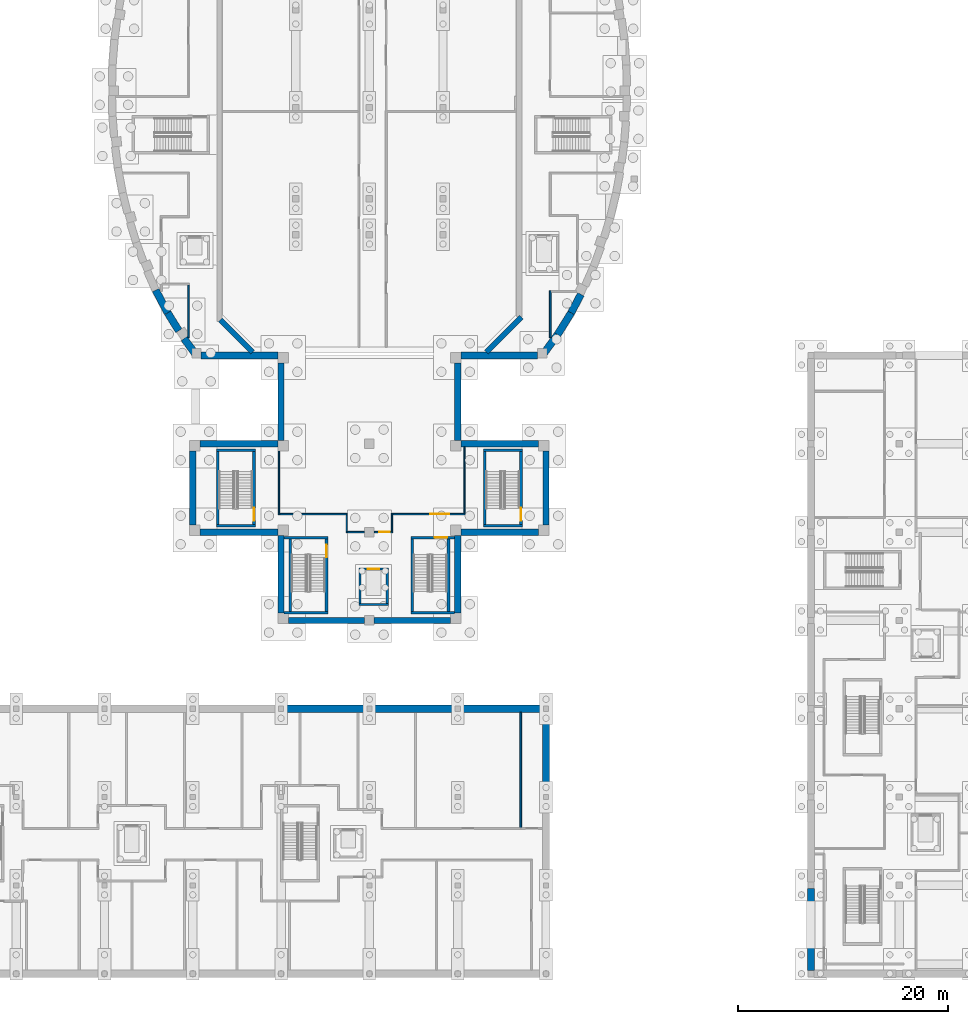
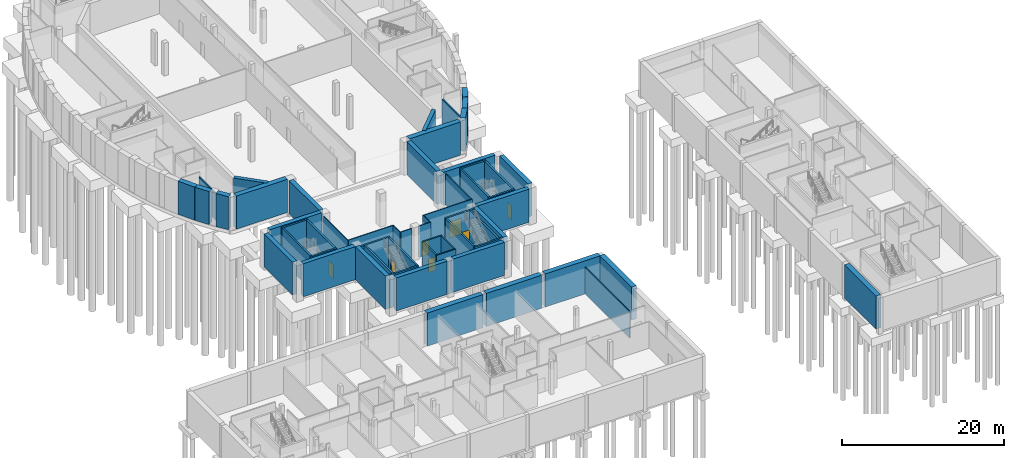
# One storey, part 11 of 33: 58 walls, 7 doors, 7 openings.
"""IFC4 building model written with IfcOpenShell, lengths in metres."""

from ifc_helpers import new_model, si_unit, direction, frame, frame_2d, origin, place, context, subcontext, project, spatial, rectangle, extrude, material, layer, layer_set, type_object, element, fill, save


model = new_model("IFC4")

# Units and contexts
model_context = context("Model", 3, precision=1e-05, world=origin(), true_north=direction((0.0, 1.0)))
body_context = subcontext(model_context, "Body", "Model", "MODEL_VIEW")
ifc_project = project(units=[si_unit("LENGTHUNIT", "METRE"), si_unit("AREAUNIT", "SQUARE_METRE"), si_unit("VOLUMEUNIT", "CUBIC_METRE"), si_unit("PLANEANGLEUNIT", "RADIAN"), si_unit("MASSUNIT", "GRAM", prefix="KILO")], contexts=[model_context])

# Site, building, storey
site_placement = place(None, origin())
site = spatial("IfcSite", under=ifc_project, at=site_placement, CompositionType="ELEMENT")
building_placement = place(site_placement, origin())
building = spatial("IfcBuilding", under=site, at=building_placement, Name="Larchfold Concert Hall", CompositionType="ELEMENT")
storey_placement = place(building_placement, frame((0.0, 0.0, -5.0)))
storey = spatial("IfcBuildingStorey", under=building, at=storey_placement, Name="B1", CompositionType="ELEMENT", Elevation=-5.0)

# Walls
ifc_material_1 = material(Name="Plasterboard partition on steel studs", Category="steel")
ifc_layer_1 = layer(ifc_material_1, 0.125)
ifc_layer_set_1 = layer_set([ifc_layer_1], Name="Plasterboard partition on steel studs")
wall_type_1 = type_object("IfcWallType", Name="Corridor partition 125 EI 60", PredefinedType="PARTITIONING", material=ifc_layer_set_1)
wall_1_placement = place(storey_placement, frame((34.000244140625, 50.280029296875, 0.0), z_axis=(0.0, 0.0, 1.0), x_axis=(0.000283389325, -0.999999959845, 0.0)))
element("IfcWall", 1, at=wall_1_placement, inside=storey, type_object=wall_type_1, Name="Partition IW0038", PredefinedType="PARTITIONING", context=body_context, shape_type="SweptSolid", body=[
    extrude(rectangle(XDim=6.030517578125, YDim=0.125, at=frame_2d((3.01513671875, 0.0))), origin(), (0.0, 0.0, 1.0), 4.719970703125),
])
wall_2_placement = place(storey_placement, frame((34.064453125, 44.31201171875, 0.0), z_axis=(0.0, 0.0, 1.0), x_axis=(1.0, 0.0, 0.0)))
element("IfcWall", 2, at=wall_2_placement, inside=storey, type_object=wall_type_1, Name="Partition IW0039", PredefinedType="PARTITIONING", context=body_context, shape_type="SweptSolid", body=[
    extrude(rectangle(XDim=6.450927734375, YDim=0.125, at=frame_2d((3.2255859375, 0.0))), origin(), (0.0, 0.0, 1.0), 4.719970703125),
])
wall_3_placement = place(storey_placement, frame((40.452880859375, 44.24951171875, 0.0), z_axis=(0.0, 0.0, 1.0), x_axis=(-0.002281796684, -0.999997396699, 0.0)))
element("IfcWall", 3, at=wall_3_placement, inside=storey, type_object=wall_type_1, Name="Partition IW0040", PredefinedType="PARTITIONING", context=body_context, shape_type="SweptSolid", body=[
    extrude(rectangle(XDim=1.7119140625, YDim=0.125, at=frame_2d((0.85595703125, 0.0))), origin(), (0.0, 0.0, 1.0), 4.719970703125),
])
wall_4_placement = place(storey_placement, frame((40.511474609375, 42.60009765625, 0.0), z_axis=(0.0, 0.0, 1.0), x_axis=(0.999999988625, 0.000150829561, 0.0)))
element("IfcWall", 4, at=wall_4_placement, inside=storey, type_object=wall_type_1, Name="Partition IW0041", PredefinedType="PARTITIONING", context=body_context, shape_type="SweptSolid", body=[
    extrude(rectangle(XDim=1.61865234375, YDim=0.125, at=frame_2d((0.809326171875, 0.0))), origin(), (0.0, 0.0, 1.0), 4.719970703125),
])

# Wall, opening, door
wall_5_placement = place(storey_placement, frame((43.070068359375, 42.6005859375, 0.0), z_axis=(0.0, 0.0, 1.0), x_axis=(0.99999996078, 0.000280072808, 0.0)))
wall_5 = element("IfcWall", 5, at=wall_5_placement, inside=storey, type_object=wall_type_1, Name="Partition IW0042", PredefinedType="PARTITIONING", context=body_context, shape_type="SweptSolid", body=[
    extrude(rectangle(XDim=1.743408203125, YDim=0.125, at=frame_2d((0.87158203125, 0.0))), origin(), (0.0, 0.0, 1.0), 4.719970703125),
])
opening_1_placement = place(wall_5_placement, frame((0.454345703125, 0.0, 0.0)))
opening_1 = element("IfcOpeningElement", 6, at=opening_1_placement, cuts=wall_5, Name="Opening D-B1-116", PredefinedType="OPENING", context=body_context, shape_type="SweptSolid", body=[
    extrude(rectangle(XDim=1.0, YDim=2.10009765625, at=frame_2d((0.5, 1.050048828125))), frame((0.0, 0.072509765625, 0.0), z_axis=(0.0, -1.0, 0.0), x_axis=(1.0, 0.0, 0.0)), (0.0, 0.0, 1.0), 0.14501953125),
])
ifc_material_2 = material(Name="Timber door leaf", Category="wood")
door_type_1 = type_object("IfcDoorType", Name="Stage and workshop door pair 1000 x 2100 FD30S", OperationType="SINGLE_SWING_LEFT", PredefinedType="DOOR", material=ifc_material_2)
door_1_placement = place(opening_1_placement, origin())
door_1 = element("IfcDoor", 7, at=door_1_placement, inside=storey, type_object=door_type_1, Name="Door D-B1-116", OperationType="SINGLE_SWING_RIGHT", OverallHeight=2.10009765625, OverallWidth=1.0, PredefinedType="DOOR", context=body_context, shape_type="SweptSolid", body=[
    extrude(rectangle(XDim=1.0, YDim=2.10009765625, at=frame_2d((0.5, 1.050048828125))), frame((0.0, 0.02490234375, 0.0), z_axis=(0.0, -1.0, 0.0), x_axis=(1.0, 0.0, 0.0)), (0.0, 0.0, 1.0), 0.050048828125),
])
fill(opening_1, door_1)

# Wall
wall_6_placement = place(storey_placement, frame((44.7509765625, 42.66357421875, 0.0), z_axis=(0.0, 0.0, 1.0), x_axis=(-0.001855019639, 0.99999827945, 0.0)))
element("IfcWall", 8, at=wall_6_placement, inside=storey, type_object=wall_type_1, Name="Partition IW0043", PredefinedType="PARTITIONING", context=body_context, shape_type="SweptSolid", body=[
    extrude(rectangle(XDim=1.7109375, YDim=0.125, at=frame_2d((0.85546875, 0.0))), origin(), (0.0, 0.0, 1.0), 4.719970703125),
])

# Wall, opening, door
wall_7_placement = place(storey_placement, frame((44.810546875, 44.31201171875, 0.0), z_axis=(0.0, 0.0, 1.0), x_axis=(1.0, 0.0, 0.0)))
wall_7 = element("IfcWall", 9, at=wall_7_placement, inside=storey, type_object=wall_type_1, Name="Partition IW0044", PredefinedType="PARTITIONING", context=body_context, shape_type="SweptSolid", body=[
    extrude(rectangle(XDim=6.90283203125, YDim=0.125, at=frame_2d((3.451416015625, 0.0))), origin(), (0.0, 0.0, 1.0), 4.719970703125),
])
opening_2_placement = place(wall_7_placement, frame((3.585693359375, 0.0, 0.0)))
opening_2 = element("IfcOpeningElement", 10, at=opening_2_placement, cuts=wall_7, Name="Opening D-B1-117", PredefinedType="OPENING", context=body_context, shape_type="SweptSolid", body=[
    extrude(rectangle(XDim=1.800048828125, YDim=2.39990234375, at=frame_2d((0.89990234375, 1.199951171875))), frame((0.0, 0.072509765625, 0.0), z_axis=(0.0, -1.0, 0.0), x_axis=(1.0, 0.0, 0.0)), (0.0, 0.0, 1.0), 0.14501953125),
])
ifc_material_3 = material(Name="Timber door leaf", Category="wood")
door_type_2 = type_object("IfcDoorType", Name="Stage and workshop door pair 1800 x 2400 FD30S", OperationType="SINGLE_SWING_LEFT", PredefinedType="DOOR", material=ifc_material_3)
door_2_placement = place(opening_2_placement, origin())
door_2 = element("IfcDoor", 11, at=door_2_placement, inside=storey, type_object=door_type_2, Name="Door D-B1-117", OperationType="DOUBLE_DOOR_SINGLE_SWING", OverallHeight=2.39990234375, OverallWidth=1.800048828125, PredefinedType="DOOR", context=body_context, shape_type="SweptSolid", body=[
    extrude(rectangle(XDim=1.800048828125, YDim=2.39990234375, at=frame_2d((0.89990234375, 1.199951171875))), frame((0.0, 0.02490234375, 0.0), z_axis=(0.0, -1.0, 0.0), x_axis=(1.0, 0.0, 0.0)), (0.0, 0.0, 1.0), 0.050048828125),
])
fill(opening_2, door_2)

# Walls
wall_8_placement = place(storey_placement, frame((51.65087890625, 44.37451171875, 0.0), z_axis=(0.0, 0.0, 1.0), x_axis=(0.0, 1.0, 0.0)))
element("IfcWall", 12, at=wall_8_placement, inside=storey, type_object=wall_type_1, Name="Partition IW0045", PredefinedType="PARTITIONING", context=body_context, shape_type="SweptSolid", body=[
    extrude(rectangle(XDim=6.325439453125, YDim=0.125, at=frame_2d((3.16259765625, 0.0))), origin(), (0.0, 0.0, 1.0), 4.719970703125),
])
ifc_material_4 = material(Name="Plasterboard partition on steel studs", Category="steel")
ifc_layer_2 = layer(ifc_material_4, 0.14990234375)
ifc_layer_set_2 = layer_set([ifc_layer_2], Name="Plasterboard partition on steel studs")
wall_type_2 = type_object("IfcWallType", Name="Shaft and plant partition 150 EI 120", PredefinedType="PARTITIONING", material=ifc_layer_set_2)
wall_9_placement = place(storey_placement, frame((25.39990234375, 66.125, 0.0), z_axis=(0.0, 0.0, 1.0), x_axis=(0.0, -1.0, 0.0)))
element("IfcWall", 13, at=wall_9_placement, inside=storey, type_object=wall_type_2, Name="Partition IW0012", PredefinedType="PARTITIONING", context=body_context, shape_type="SweptSolid", body=[
    extrude(rectangle(XDim=5.014892578125, YDim=0.14990234375, at=frame_2d((2.50732421875, 0.0))), origin(), (0.0, 0.0, 1.0), 4.099853515625),
])
wall_10_placement = place(storey_placement, frame((59.800048828125, 61.110107421875, 0.0), z_axis=(0.0, 0.0, 1.0), x_axis=(0.0, 1.0, 0.0)))
element("IfcWall", 14, at=wall_10_placement, inside=storey, type_object=wall_type_2, Name="Partition IW0015", PredefinedType="PARTITIONING", context=body_context, shape_type="SweptSolid", body=[
    extrude(rectangle(XDim=4.46484375, YDim=0.14990234375, at=frame_2d((2.232421875, 0.0))), origin(), (0.0, 0.0, 1.0), 4.099853515625),
])
wall_11_placement = place(storey_placement, frame((57.0, 25.449951171875, 0.0), z_axis=(0.0, 0.0, 1.0), x_axis=(0.0, -1.0, 0.0)))
element("IfcWall", 15, at=wall_11_placement, inside=storey, type_object=wall_type_2, Name="Partition IW0145", PredefinedType="PARTITIONING", context=body_context, shape_type="SweptSolid", body=[
    extrude(rectangle(XDim=10.974853515625, YDim=0.14990234375, at=frame_2d((5.4873046875, 0.0))), origin(), (0.0, 0.0, 1.0), 4.0400390625),
])
ifc_material_5 = material(Name="Concrete C40/50", Category="concrete")
ifc_layer_3 = layer(ifc_material_5, 0.199951171875)
ifc_layer_set_3 = layer_set([ifc_layer_3], Name="Concrete C40/50")
wall_type_3 = type_object("IfcWallType", Name="Wall RC 200 lift shaft", PredefinedType="SOLIDWALL", material=ifc_layer_set_3)
wall_12_placement = place(storey_placement, frame((41.60009765625, 35.7001953125, -1.39990234375), z_axis=(0.0, 0.0, 1.0), x_axis=(1.0, 0.0, 0.0)))
element("IfcWall", 16, at=wall_12_placement, inside=storey, type_object=wall_type_3, Name="Wall W0180", PredefinedType="SOLIDWALL", context=body_context, shape_type="SweptSolid", body=[
    extrude(rectangle(XDim=2.7998046875, YDim=0.199951171875, at=frame_2d((1.39990234375, 0.0))), origin(), (0.0, 0.0, 1.0), 6.39990234375),
])

# Wall, opening, door
wall_13_placement = place(storey_placement, frame((41.60009765625, 39.099853515625, -1.39990234375), z_axis=(0.0, 0.0, 1.0), x_axis=(1.0, 0.0, 0.0)))
wall_13 = element("IfcWall", 17, at=wall_13_placement, inside=storey, type_object=wall_type_3, Name="Wall W0181", PredefinedType="SOLIDWALL", context=body_context, shape_type="SweptSolid", body=[
    extrude(rectangle(XDim=2.7998046875, YDim=0.199951171875, at=frame_2d((1.39990234375, 0.0))), origin(), (0.0, 0.0, 1.0), 6.39990234375),
])
opening_3_placement = place(wall_13_placement, frame((0.849853515625, 0.0, 1.39990234375)))
opening_3 = element("IfcOpeningElement", 18, at=opening_3_placement, cuts=wall_13, Name="Opening LD-LF05", PredefinedType="OPENING", context=body_context, shape_type="SweptSolid", body=[
    extrude(rectangle(XDim=1.10009765625, YDim=2.10009765625, at=frame_2d((0.550048828125, 1.050048828125))), frame((0.0, 0.10986328125, 0.0), z_axis=(0.0, -1.0, 0.0), x_axis=(1.0, 0.0, 0.0)), (0.0, 0.0, 1.0), 0.219970703125),
])
ifc_material_6 = material(Name="Stainless steel sliding leaves", Category="steel")
door_type_3 = type_object("IfcDoorType", Name="Lift landing door sliding 1100 x 2100", OperationType="SLIDING_TO_LEFT", PredefinedType="DOOR", material=ifc_material_6)
door_3_placement = place(opening_3_placement, origin())
door_3 = element("IfcDoor", 19, at=door_3_placement, inside=storey, type_object=door_type_3, Name="Lift landing door LF05", OperationType="SLIDING_TO_LEFT", OverallHeight=2.10009765625, OverallWidth=1.10009765625, PredefinedType="DOOR", context=body_context, shape_type="SweptSolid", body=[
    extrude(rectangle(XDim=1.10009765625, YDim=2.10009765625, at=frame_2d((0.550048828125, 1.050048828125))), frame((0.0, 0.02490234375, 0.0), z_axis=(0.0, -1.0, 0.0), x_axis=(1.0, 0.0, 0.0)), (0.0, 0.0, 1.0), 0.050048828125),
])
fill(opening_3, door_3)

# Walls
for number, where, z_axis, x_axis, name in (
    (20, (41.7001953125, 35.800048828125, -1.39990234375), (0.0, 0.0, 1.0), (0.0, 1.0, 0.0), "Wall W0182"),
    (21, (44.2998046875, 35.800048828125, -1.39990234375), (0.0, 0.0, 1.0), (0.0, 1.0, 0.0), "Wall W0183"),
):
    element("IfcWall", number, at=place(storey_placement, frame(where, z_axis=z_axis, x_axis=x_axis)), inside=storey, type_object=wall_type_3, Name=name, PredefinedType="SOLIDWALL", context=body_context, shape_type="SweptSolid", body=[
        extrude(rectangle(XDim=3.199951171875, YDim=0.199951171875, at=frame_2d((1.60009765625, 0.0))), origin(), (0.0, 0.0, 1.0), 6.39990234375),
    ])
ifc_material_7 = material(Name="Concrete C40/50", Category="concrete")
ifc_layer_4 = layer(ifc_material_7, 0.25)
ifc_layer_set_4 = layer_set([ifc_layer_4], Name="Concrete C40/50")
wall_type_4 = type_object("IfcWallType", Name="Wall RC 250 stair core", PredefinedType="SOLIDWALL", material=ifc_layer_set_4)
for number, where, z_axis, x_axis, name in (
    (22, (28.050048828125, 43.22509765625, 0.0), (0.0, 0.0, 1.0), (1.0, 0.0, 0.0), "Wall W0136"),
    (23, (28.050048828125, 50.375, 0.0), (0.0, 0.0, 1.0), (1.0, 0.0, 0.0), "Wall W0137"),
):
    element("IfcWall", number, at=place(storey_placement, frame(where, z_axis=z_axis, x_axis=x_axis)), inside=storey, type_object=wall_type_4, Name=name, PredefinedType="SOLIDWALL", context=body_context, shape_type="SweptSolid", body=[
        extrude(rectangle(XDim=3.699951171875, YDim=0.25, at=frame_2d((1.85009765625, 0.0))), origin(), (0.0, 0.0, 1.0), 5.0),
    ])
wall_14_placement = place(storey_placement, frame((28.175048828125, 43.35009765625, 0.0), z_axis=(0.0, 0.0, 1.0), x_axis=(0.0, 1.0, 0.0)))
element("IfcWall", 24, at=wall_14_placement, inside=storey, type_object=wall_type_4, Name="Wall W0138", PredefinedType="SOLIDWALL", context=body_context, shape_type="SweptSolid", body=[
    extrude(rectangle(XDim=6.89990234375, YDim=0.25, at=frame_2d((3.449951171875, 0.0))), origin(), (0.0, 0.0, 1.0), 5.0),
])

# Wall, opening, door
wall_15_placement = place(storey_placement, frame((31.625, 43.35009765625, 0.0), z_axis=(0.0, 0.0, 1.0), x_axis=(0.0, 1.0, 0.0)))
wall_15 = element("IfcWall", 25, at=wall_15_placement, inside=storey, type_object=wall_type_4, Name="Wall W0139", PredefinedType="SOLIDWALL", context=body_context, shape_type="SweptSolid", body=[
    extrude(rectangle(XDim=6.89990234375, YDim=0.25, at=frame_2d((3.449951171875, 0.0))), origin(), (0.0, 0.0, 1.0), 5.0),
])
opening_4_placement = place(wall_15_placement, frame((0.35009765625, 0.0, 0.0)))
opening_4 = element("IfcOpeningElement", 26, at=opening_4_placement, cuts=wall_15, Name="Opening D-B1-152", PredefinedType="OPENING", context=body_context, shape_type="SweptSolid", body=[
    extrude(rectangle(XDim=1.199951171875, YDim=2.10009765625, at=frame_2d((0.60009765625, 1.050048828125))), frame((0.0, 0.135009765625, 0.0), z_axis=(0.0, -1.0, 0.0), x_axis=(1.0, 0.0, 0.0)), (0.0, 0.0, 1.0), 0.27001953125),
])
ifc_material_8 = material(Name="Timber door leaf", Category="wood")
door_type_4 = type_object("IfcDoorType", Name="Stair enclosure door pair 1200 x 2100 FD60", OperationType="SINGLE_SWING_LEFT", PredefinedType="DOOR", material=ifc_material_8)
door_4_placement = place(opening_4_placement, origin())
door_4 = element("IfcDoor", 27, at=door_4_placement, inside=storey, type_object=door_type_4, Name="Door D-B1-152", OperationType="DOUBLE_DOOR_SINGLE_SWING", OverallHeight=2.10009765625, OverallWidth=1.199951171875, PredefinedType="DOOR", context=body_context, shape_type="SweptSolid", body=[
    extrude(rectangle(XDim=1.199951171875, YDim=2.10009765625, at=frame_2d((0.60009765625, 1.050048828125))), frame((0.0, 0.02490234375, 0.0), z_axis=(0.0, -1.0, 0.0), x_axis=(1.0, 0.0, 0.0)), (0.0, 0.0, 1.0), 0.050048828125),
])
fill(opening_4, door_4)

# Walls
for number, where, z_axis, x_axis, name in (
    (28, (53.449951171875, 43.22509765625, 0.0), (0.0, 0.0, 1.0), (1.0, 0.0, 0.0), "Wall W0140"),
    (29, (53.449951171875, 50.375, 0.0), (0.0, 0.0, 1.0), (1.0, 0.0, 0.0), "Wall W0141"),
):
    element("IfcWall", number, at=place(storey_placement, frame(where, z_axis=z_axis, x_axis=x_axis)), inside=storey, type_object=wall_type_4, Name=name, PredefinedType="SOLIDWALL", context=body_context, shape_type="SweptSolid", body=[
        extrude(rectangle(XDim=3.699951171875, YDim=0.25, at=frame_2d((1.85009765625, 0.0))), origin(), (0.0, 0.0, 1.0), 5.0),
    ])
wall_16_placement = place(storey_placement, frame((53.574951171875, 43.35009765625, 0.0), z_axis=(0.0, 0.0, 1.0), x_axis=(0.0, 1.0, 0.0)))
element("IfcWall", 30, at=wall_16_placement, inside=storey, type_object=wall_type_4, Name="Wall W0142", PredefinedType="SOLIDWALL", context=body_context, shape_type="SweptSolid", body=[
    extrude(rectangle(XDim=6.89990234375, YDim=0.25, at=frame_2d((3.449951171875, 0.0))), origin(), (0.0, 0.0, 1.0), 5.0),
])

# Wall, opening, door
wall_17_placement = place(storey_placement, frame((57.02490234375, 43.35009765625, 0.0), z_axis=(0.0, 0.0, 1.0), x_axis=(0.0, 1.0, 0.0)))
wall_17 = element("IfcWall", 31, at=wall_17_placement, inside=storey, type_object=wall_type_4, Name="Wall W0143", PredefinedType="SOLIDWALL", context=body_context, shape_type="SweptSolid", body=[
    extrude(rectangle(XDim=6.89990234375, YDim=0.25, at=frame_2d((3.449951171875, 0.0))), origin(), (0.0, 0.0, 1.0), 5.0),
])
opening_5_placement = place(wall_17_placement, frame((0.35009765625, 0.0, 0.0)))
opening_5 = element("IfcOpeningElement", 32, at=opening_5_placement, cuts=wall_17, Name="Opening D-B1-153", PredefinedType="OPENING", context=body_context, shape_type="SweptSolid", body=[
    extrude(rectangle(XDim=1.199951171875, YDim=2.10009765625, at=frame_2d((0.60009765625, 1.050048828125))), frame((0.0, 0.135009765625, 0.0), z_axis=(0.0, -1.0, 0.0), x_axis=(1.0, 0.0, 0.0)), (0.0, 0.0, 1.0), 0.27001953125),
])
door_5_placement = place(opening_5_placement, origin())
door_5 = element("IfcDoor", 33, at=door_5_placement, inside=storey, type_object=door_type_4, Name="Door D-B1-153", OperationType="DOUBLE_DOOR_SINGLE_SWING", OverallHeight=2.10009765625, OverallWidth=1.199951171875, PredefinedType="DOOR", context=body_context, shape_type="SweptSolid", body=[
    extrude(rectangle(XDim=1.199951171875, YDim=2.10009765625, at=frame_2d((0.60009765625, 1.050048828125))), frame((0.0, 0.02490234375, 0.0), z_axis=(0.0, -1.0, 0.0), x_axis=(1.0, 0.0, 0.0)), (0.0, 0.0, 1.0), 0.050048828125),
])
fill(opening_5, door_5)

# Walls
for number, where, z_axis, x_axis, name in (
    (34, (34.5, 34.925048828125, 0.0), (0.0, 0.0, 1.0), (1.0, 0.0, 0.0), "Wall W0144"),
    (35, (34.5, 42.074951171875, 0.0), (0.0, 0.0, 1.0), (1.0, 0.0, 0.0), "Wall W0145"),
):
    element("IfcWall", number, at=place(storey_placement, frame(where, z_axis=z_axis, x_axis=x_axis)), inside=storey, type_object=wall_type_4, Name=name, PredefinedType="SOLIDWALL", context=body_context, shape_type="SweptSolid", body=[
        extrude(rectangle(XDim=4.14990234375, YDim=0.25, at=frame_2d((2.074951171875, 0.0))), origin(), (0.0, 0.0, 1.0), 5.0),
    ])
wall_18_placement = place(storey_placement, frame((35.074951171875, 35.050048828125, 0.0), z_axis=(0.0, 0.0, 1.0), x_axis=(0.0, 1.0, 0.0)))
element("IfcWall", 36, at=wall_18_placement, inside=storey, type_object=wall_type_4, Name="Wall W0146", PredefinedType="SOLIDWALL", context=body_context, shape_type="SweptSolid", body=[
    extrude(rectangle(XDim=6.89990234375, YDim=0.25, at=frame_2d((3.449951171875, 0.0))), origin(), (0.0, 0.0, 1.0), 5.0),
])

# Wall, opening, door
wall_19_placement = place(storey_placement, frame((38.52490234375, 35.050048828125, 0.0), z_axis=(0.0, 0.0, 1.0), x_axis=(0.0, 1.0, 0.0)))
wall_19 = element("IfcWall", 37, at=wall_19_placement, inside=storey, type_object=wall_type_4, Name="Wall W0147", PredefinedType="SOLIDWALL", context=body_context, shape_type="SweptSolid", body=[
    extrude(rectangle(XDim=6.89990234375, YDim=0.25, at=frame_2d((3.449951171875, 0.0))), origin(), (0.0, 0.0, 1.0), 5.0),
])
opening_6_placement = place(wall_19_placement, frame((5.14990234375, 0.0, 0.0)))
opening_6 = element("IfcOpeningElement", 38, at=opening_6_placement, cuts=wall_19, Name="Opening D-B1-150", PredefinedType="OPENING", context=body_context, shape_type="SweptSolid", body=[
    extrude(rectangle(XDim=1.199951171875, YDim=2.10009765625, at=frame_2d((0.60009765625, 1.050048828125))), frame((0.0, 0.135009765625, 0.0), z_axis=(0.0, -1.0, 0.0), x_axis=(1.0, 0.0, 0.0)), (0.0, 0.0, 1.0), 0.27001953125),
])
door_6_placement = place(opening_6_placement, origin())
door_6 = element("IfcDoor", 39, at=door_6_placement, inside=storey, type_object=door_type_4, Name="Door D-B1-150", OperationType="DOUBLE_DOOR_SINGLE_SWING", OverallHeight=2.10009765625, OverallWidth=1.199951171875, PredefinedType="DOOR", context=body_context, shape_type="SweptSolid", body=[
    extrude(rectangle(XDim=1.199951171875, YDim=2.10009765625, at=frame_2d((0.60009765625, 1.050048828125))), frame((0.0, 0.02490234375, 0.0), z_axis=(0.0, -1.0, 0.0), x_axis=(1.0, 0.0, 0.0)), (0.0, 0.0, 1.0), 0.050048828125),
])
fill(opening_6, door_6)

# Wall
wall_20_placement = place(storey_placement, frame((46.550048828125, 34.925048828125, 0.0), z_axis=(0.0, 0.0, 1.0), x_axis=(1.0, 0.0, 0.0)))
element("IfcWall", 40, at=wall_20_placement, inside=storey, type_object=wall_type_4, Name="Wall W0148", PredefinedType="SOLIDWALL", context=body_context, shape_type="SweptSolid", body=[
    extrude(rectangle(XDim=4.14990234375, YDim=0.25, at=frame_2d((2.074951171875, 0.0))), origin(), (0.0, 0.0, 1.0), 5.0),
])

# Wall, opening, door
wall_21_placement = place(storey_placement, frame((46.550048828125, 42.074951171875, 0.0), z_axis=(0.0, 0.0, 1.0), x_axis=(1.0, 0.0, 0.0)))
wall_21 = element("IfcWall", 41, at=wall_21_placement, inside=storey, type_object=wall_type_4, Name="Wall W0149", PredefinedType="SOLIDWALL", context=body_context, shape_type="SweptSolid", body=[
    extrude(rectangle(XDim=4.14990234375, YDim=0.25, at=frame_2d((2.074951171875, 0.0))), origin(), (0.0, 0.0, 1.0), 5.0),
])
opening_7_placement = place(wall_21_placement, frame((2.25, 0.0, 0.0)))
opening_7 = element("IfcOpeningElement", 42, at=opening_7_placement, cuts=wall_21, Name="Opening D-B1-151", PredefinedType="OPENING", context=body_context, shape_type="SweptSolid", body=[
    extrude(rectangle(XDim=1.199951171875, YDim=2.10009765625, at=frame_2d((0.60009765625, 1.050048828125))), frame((0.0, 0.135009765625, 0.0), z_axis=(0.0, -1.0, 0.0), x_axis=(1.0, 0.0, 0.0)), (0.0, 0.0, 1.0), 0.27001953125),
])
door_7_placement = place(opening_7_placement, origin())
door_7 = element("IfcDoor", 43, at=door_7_placement, inside=storey, type_object=door_type_4, Name="Door D-B1-151", OperationType="DOUBLE_DOOR_SINGLE_SWING", OverallHeight=2.10009765625, OverallWidth=1.199951171875, PredefinedType="DOOR", context=body_context, shape_type="SweptSolid", body=[
    extrude(rectangle(XDim=1.199951171875, YDim=2.10009765625, at=frame_2d((0.60009765625, 1.050048828125))), frame((0.0, 0.02490234375, 0.0), z_axis=(0.0, -1.0, 0.0), x_axis=(1.0, 0.0, 0.0)), (0.0, 0.0, 1.0), 0.050048828125),
])
fill(opening_7, door_7)

# Walls
for number, where, z_axis, x_axis, name in (
    (44, (46.675048828125, 35.050048828125, 0.0), (0.0, 0.0, 1.0), (0.0, 1.0, 0.0), "Wall W0150"),
    (45, (50.125, 35.050048828125, 0.0), (0.0, 0.0, 1.0), (0.0, 1.0, 0.0), "Wall W0151"),
):
    element("IfcWall", number, at=place(storey_placement, frame(where, z_axis=z_axis, x_axis=x_axis)), inside=storey, type_object=wall_type_4, Name=name, PredefinedType="SOLIDWALL", context=body_context, shape_type="SweptSolid", body=[
        extrude(rectangle(XDim=6.89990234375, YDim=0.25, at=frame_2d((3.449951171875, 0.0))), origin(), (0.0, 0.0, 1.0), 5.0),
    ])
ifc_material_9 = material(Name="Concrete C40/50", Category="concrete")
ifc_layer_5 = layer(ifc_material_9, 0.5)
ifc_layer_set_5 = layer_set([ifc_layer_5], Name="Concrete C40/50")
wall_type_5 = type_object("IfcWallType", Name="Wall RC 500 hall shell", PredefinedType="SOLIDWALL", material=ifc_layer_set_5)
wall_22_placement = place(storey_placement, frame((53.722900390625, 59.72265625, 0.0), z_axis=(0.0, 0.0, 1.0), x_axis=(0.707106781187, 0.707106781187, 0.0)))
element("IfcWall", 46, at=wall_22_placement, inside=storey, type_object=wall_type_5, Name="Wall W0001", PredefinedType="SOLIDWALL", context=body_context, shape_type="SweptSolid", body=[
    extrude(rectangle(XDim=4.720947265625, YDim=0.5, at=frame_2d((2.3603515625, 0.0))), origin(), (0.0, 0.0, 1.0), 5.0),
])
wall_23_placement = place(storey_placement, frame((28.4228515625, 62.777099609375, 0.0), z_axis=(0.0, 0.0, 1.0), x_axis=(0.707106781187, -0.707106781187, 0.0)))
element("IfcWall", 47, at=wall_23_placement, inside=storey, type_object=wall_type_5, Name="Wall W0007", PredefinedType="SOLIDWALL", context=body_context, shape_type="SweptSolid", body=[
    extrude(rectangle(XDim=4.319580078125, YDim=0.5, at=frame_2d((2.15966796875, 0.0))), origin(), (0.0, 0.0, 1.0), 5.0),
])
ifc_material_10 = material(Name="Concrete C40/50", Category="concrete")
ifc_layer_6 = layer(ifc_material_10, 0.60009765625)
ifc_layer_set_6 = layer_set([ifc_layer_6], Name="Concrete C40/50")
wall_type_6 = type_object("IfcWallType", Name="Wall RC 600 stage house", PredefinedType="SOLIDWALL", material=ifc_layer_set_6)
wall_24_placement = place(storey_placement, frame((51.300048828125, 42.60009765625, 0.0), z_axis=(0.0, 0.0, 1.0), x_axis=(1.0, 0.0, 0.0)))
element("IfcWall", 48, at=wall_24_placement, inside=storey, type_object=wall_type_6, Name="Wall W0008", PredefinedType="SOLIDWALL", context=body_context, shape_type="SweptSolid", body=[
    extrude(rectangle(XDim=7.39990234375, YDim=0.60009765625, at=frame_2d((3.699951171875, 0.0))), origin(), (0.0, 0.0, 1.0), 5.0),
])
wall_25_placement = place(storey_placement, frame((59.39990234375, 43.300048828125, 0.0), z_axis=(0.0, 0.0, 1.0), x_axis=(0.0, 1.0, 0.0)))
element("IfcWall", 49, at=wall_25_placement, inside=storey, type_object=wall_type_6, Name="Wall W0009", PredefinedType="SOLIDWALL", context=body_context, shape_type="SweptSolid", body=[
    extrude(rectangle(XDim=7.0, YDim=0.60009765625, at=frame_2d((3.5, 0.0))), origin(), (0.0, 0.0, 1.0), 5.0),
])
for number, where, z_axis, x_axis, name in (
    (50, (58.699951171875, 51.0, 0.0), (0.0, 0.0, 1.0), (-1.0, 0.0, 0.0), "Wall W0010"),
    (51, (51.0, 51.300048828125, 0.0), (0.0, 0.0, 1.0), (0.0, 1.0, 0.0), "Wall W0011"),
    (52, (34.199951171875, 58.699951171875, 0.0), (0.0, 0.0, 1.0), (0.0, -1.0, 0.0), "Wall W0012"),
    (53, (33.89990234375, 51.0, 0.0), (0.0, 0.0, 1.0), (-1.0, 0.0, 0.0), "Wall W0013"),
):
    element("IfcWall", number, at=place(storey_placement, frame(where, z_axis=z_axis, x_axis=x_axis)), inside=storey, type_object=wall_type_6, Name=name, PredefinedType="SOLIDWALL", context=body_context, shape_type="SweptSolid", body=[
        extrude(rectangle(XDim=7.39990234375, YDim=0.60009765625, at=frame_2d((3.699951171875, 0.0))), origin(), (0.0, 0.0, 1.0), 5.0),
    ])
wall_26_placement = place(storey_placement, frame((25.800048828125, 50.300048828125, 0.0), z_axis=(0.0, 0.0, 1.0), x_axis=(0.0, -1.0, 0.0)))
element("IfcWall", 54, at=wall_26_placement, inside=storey, type_object=wall_type_6, Name="Wall W0014", PredefinedType="SOLIDWALL", context=body_context, shape_type="SweptSolid", body=[
    extrude(rectangle(XDim=7.0, YDim=0.60009765625, at=frame_2d((3.5, 0.0))), origin(), (0.0, 0.0, 1.0), 5.0),
])
wall_27_placement = place(storey_placement, frame((26.5, 42.60009765625, 0.0), z_axis=(0.0, 0.0, 1.0), x_axis=(1.0, 0.0, 0.0)))
element("IfcWall", 55, at=wall_27_placement, inside=storey, type_object=wall_type_6, Name="Wall W0015", PredefinedType="SOLIDWALL", context=body_context, shape_type="SweptSolid", body=[
    extrude(rectangle(XDim=7.39990234375, YDim=0.60009765625, at=frame_2d((3.699951171875, 0.0))), origin(), (0.0, 0.0, 1.0), 5.0),
])
wall_28_placement = place(storey_placement, frame((34.199951171875, 42.300048828125, 0.0), z_axis=(0.0, 0.0, 1.0), x_axis=(0.0, -1.0, 0.0)))
element("IfcWall", 56, at=wall_28_placement, inside=storey, type_object=wall_type_6, Name="Wall W0016", PredefinedType="SOLIDWALL", context=body_context, shape_type="SweptSolid", body=[
    extrude(rectangle(XDim=7.400146484375, YDim=0.60009765625, at=frame_2d((3.7001953125, 0.0))), origin(), (0.0, 0.0, 1.0), 5.0),
])
wall_29_placement = place(storey_placement, frame((34.89990234375, 34.199951171875, 0.0), z_axis=(0.0, 0.0, 1.0), x_axis=(1.0, 0.0, 0.0)))
element("IfcWall", 57, at=wall_29_placement, inside=storey, type_object=wall_type_6, Name="Wall W0017", PredefinedType="SOLIDWALL", context=body_context, shape_type="SweptSolid", body=[
    extrude(rectangle(XDim=7.250244140625, YDim=0.60009765625, at=frame_2d((3.625, 0.0))), origin(), (0.0, 0.0, 1.0), 5.0),
])
wall_30_placement = place(storey_placement, frame((43.050048828125, 34.199951171875, 0.0), z_axis=(0.0, 0.0, 1.0), x_axis=(1.0, 0.0, 0.0)))
element("IfcWall", 58, at=wall_30_placement, inside=storey, type_object=wall_type_6, Name="Wall W0018", PredefinedType="SOLIDWALL", context=body_context, shape_type="SweptSolid", body=[
    extrude(rectangle(XDim=7.25, YDim=0.60009765625, at=frame_2d((3.625, 0.0))), origin(), (0.0, 0.0, 1.0), 5.0),
])
wall_31_placement = place(storey_placement, frame((51.0, 34.89990234375, 0.0), z_axis=(0.0, 0.0, 1.0), x_axis=(0.0, 1.0, 0.0)))
element("IfcWall", 59, at=wall_31_placement, inside=storey, type_object=wall_type_6, Name="Wall W0019", PredefinedType="SOLIDWALL", context=body_context, shape_type="SweptSolid", body=[
    extrude(rectangle(XDim=7.400146484375, YDim=0.60009765625, at=frame_2d((3.7001953125, 0.0))), origin(), (0.0, 0.0, 1.0), 5.0),
])
ifc_material_11 = material(Name="Concrete C30/37", Category="concrete")
ifc_layer_7 = layer(ifc_material_11, 0.699951171875)
ifc_layer_set_7 = layer_set([ifc_layer_7], Name="Concrete C30/37")
wall_type_7 = type_object("IfcWallType", Name="Wall RC 700 retaining wall", PredefinedType="SOLIDWALL", material=ifc_layer_set_7)
wall_32_placement = place(storey_placement, frame((33.89990234375, 59.39990234375, 0.0), z_axis=(0.0, 0.0, 1.0), x_axis=(-1.0, 0.0, 0.0)))
element("IfcWall", 60, at=wall_32_placement, inside=storey, type_object=wall_type_7, Name="Wall W0027", PredefinedType="SOLIDWALL", context=body_context, shape_type="SweptSolid", body=[
    extrude(rectangle(XDim=7.296875, YDim=0.699951171875, at=frame_2d((3.6484375, 0.0))), origin(), (0.0, 0.0, 1.0), 5.0),
])
wall_33_placement = place(storey_placement, frame((25.9853515625, 59.62890625, 0.0), z_axis=(0.0, 0.0, 1.0), x_axis=(-0.590709049895, 0.806884637586, 0.0)))
element("IfcWall", 61, at=wall_33_placement, inside=storey, type_object=wall_type_7, Name="Wall W0028", PredefinedType="SOLIDWALL", context=body_context, shape_type="SweptSolid", body=[
    extrude(rectangle(XDim=1.71435546875, YDim=0.699951171875, at=frame_2d((0.857177734375, 0.0))), origin(), (0.0, 0.0, 1.0), 5.0),
])
wall_34_placement = place(storey_placement, frame((24.468994140625, 61.758056640625, 0.0), z_axis=(0.0, 0.0, 1.0), x_axis=(-0.52780073797, 0.849368224622, 0.0)))
element("IfcWall", 62, at=wall_34_placement, inside=storey, type_object=wall_type_7, Name="Wall W0029", PredefinedType="SOLIDWALL", context=body_context, shape_type="SweptSolid", body=[
    extrude(rectangle(XDim=1.998291015625, YDim=0.699951171875, at=frame_2d((0.9990234375, 0.0))), origin(), (0.0, 0.0, 1.0), 5.0),
])
wall_35_placement = place(storey_placement, frame((23.414306640625, 63.455810546875, 0.0), z_axis=(0.0, 0.0, 1.0), x_axis=(-0.466531148386, 0.88450476968, 0.0)))
element("IfcWall", 63, at=wall_35_placement, inside=storey, type_object=wall_type_7, Name="Wall W0030", PredefinedType="SOLIDWALL", context=body_context, shape_type="SweptSolid", body=[
    extrude(rectangle(XDim=2.448486328125, YDim=0.699951171875, at=frame_2d((1.22412109375, 0.0))), origin(), (0.0, 0.0, 1.0), 5.0),
])
wall_36_placement = place(storey_placement, frame((62.71826171875, 65.2236328125, 0.0), z_axis=(0.0, 0.0, 1.0), x_axis=(-0.466506478083, -0.884517781566, 0.0)))
element("IfcWall", 64, at=wall_36_placement, inside=storey, type_object=wall_type_7, Name="Wall W0085", PredefinedType="SOLIDWALL", context=body_context, shape_type="SweptSolid", body=[
    extrude(rectangle(XDim=1.99853515625, YDim=0.699951171875, at=frame_2d((0.999267578125, 0.0))), origin(), (0.0, 0.0, 1.0), 5.0),
])
wall_37_placement = place(storey_placement, frame((61.785888671875, 63.455322265625, 0.0), z_axis=(0.0, 0.0, 1.0), x_axis=(-0.527792211448, -0.849373522977, 0.0)))
element("IfcWall", 65, at=wall_37_placement, inside=storey, type_object=wall_type_7, Name="Wall W0086", PredefinedType="SOLIDWALL", context=body_context, shape_type="SweptSolid", body=[
    extrude(rectangle(XDim=2.448486328125, YDim=0.699951171875, at=frame_2d((1.22412109375, 0.0))), origin(), (0.0, 0.0, 1.0), 5.0),
])
wall_38_placement = place(storey_placement, frame((60.49365234375, 61.375244140625, 0.0), z_axis=(0.0, 0.0, 1.0), x_axis=(-0.590810968343, -0.806810014616, 0.0)))
element("IfcWall", 66, at=wall_38_placement, inside=storey, type_object=wall_type_7, Name="Wall W0087", PredefinedType="SOLIDWALL", context=body_context, shape_type="SweptSolid", body=[
    extrude(rectangle(XDim=2.16455078125, YDim=0.699951171875, at=frame_2d((1.082275390625, 0.0))), origin(), (0.0, 0.0, 1.0), 5.0),
])
wall_39_placement = place(storey_placement, frame((58.59716796875, 59.39990234375, 0.0), z_axis=(0.0, 0.0, 1.0), x_axis=(-1.0, 0.0, 0.0)))
element("IfcWall", 67, at=wall_39_placement, inside=storey, type_object=wall_type_7, Name="Wall W0088", PredefinedType="SOLIDWALL", context=body_context, shape_type="SweptSolid", body=[
    extrude(rectangle(XDim=7.297119140625, YDim=0.699951171875, at=frame_2d((3.6484375, 0.0))), origin(), (0.0, 0.0, 1.0), 5.0),
])
wall_40_placement = place(storey_placement, frame((34.449951171875, 25.800048828125, 0.0), z_axis=(0.0, 0.0, 1.0), x_axis=(1.0, 0.0, 0.0)))
element("IfcWall", 68, at=wall_40_placement, inside=storey, type_object=wall_type_7, Name="Wall W0096", PredefinedType="SOLIDWALL", context=body_context, shape_type="SweptSolid", body=[
    extrude(rectangle(XDim=7.900146484375, YDim=0.699951171875, at=frame_2d((3.9501953125, 0.0))), origin(), (0.0, 0.0, 1.0), 5.0),
])
for number, where, z_axis, x_axis, name in (
    (69, (42.85009765625, 25.800048828125, 0.0), (0.0, 0.0, 1.0), (1.0, 0.0, 0.0), "Wall W0097"),
    (70, (51.25, 25.800048828125, 0.0), (0.0, 0.0, 1.0), (1.0, 0.0, 0.0), "Wall W0098"),
):
    element("IfcWall", number, at=place(storey_placement, frame(where, z_axis=z_axis, x_axis=x_axis)), inside=storey, type_object=wall_type_7, Name=name, PredefinedType="SOLIDWALL", context=body_context, shape_type="SweptSolid", body=[
        extrude(rectangle(XDim=7.89990234375, YDim=0.699951171875, at=frame_2d((3.949951171875, 0.0))), origin(), (0.0, 0.0, 1.0), 5.0),
    ])
wall_41_placement = place(storey_placement, frame((59.39990234375, 25.550048828125, 0.0), z_axis=(0.0, 0.0, 1.0), x_axis=(0.0, -1.0, 0.0)))
element("IfcWall", 71, at=wall_41_placement, inside=storey, type_object=wall_type_7, Name="Wall W0099", PredefinedType="SOLIDWALL", context=body_context, shape_type="SweptSolid", body=[
    extrude(rectangle(XDim=7.900146484375, YDim=0.699951171875, at=frame_2d((3.9501953125, 0.0))), origin(), (0.0, 0.0, 1.0), 5.0),
])
wall_42_placement = place(storey_placement, frame((84.60009765625, 0.89990234375, 0.0), z_axis=(0.0, 0.0, 1.0), x_axis=(0.0, 1.0, 0.0)))
element("IfcWall", 72, at=wall_42_placement, inside=storey, type_object=wall_type_7, Name="Wall W0109", PredefinedType="SOLIDWALL", context=body_context, shape_type="SweptSolid", body=[
    extrude(rectangle(XDim=7.800048828125, YDim=0.699951171875, at=frame_2d((3.89990234375, 0.0))), origin(), (0.0, 0.0, 1.0), 5.0),
])

save(model, "model.ifc")
